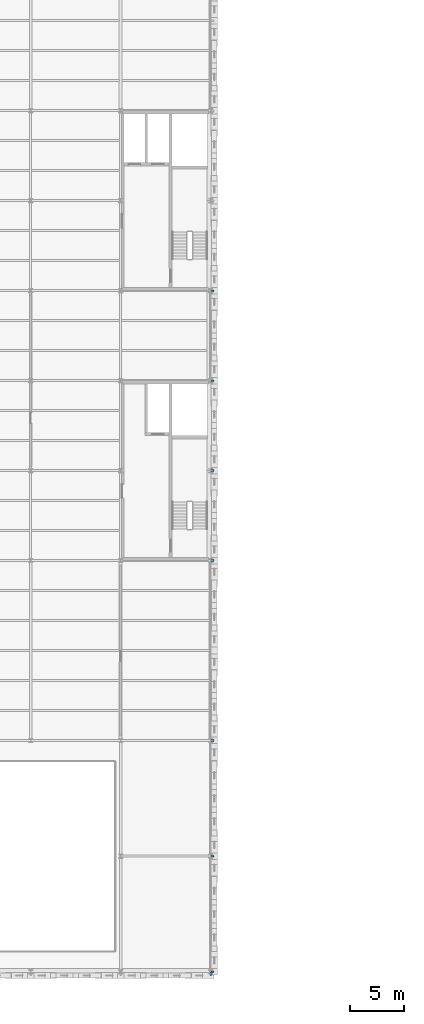
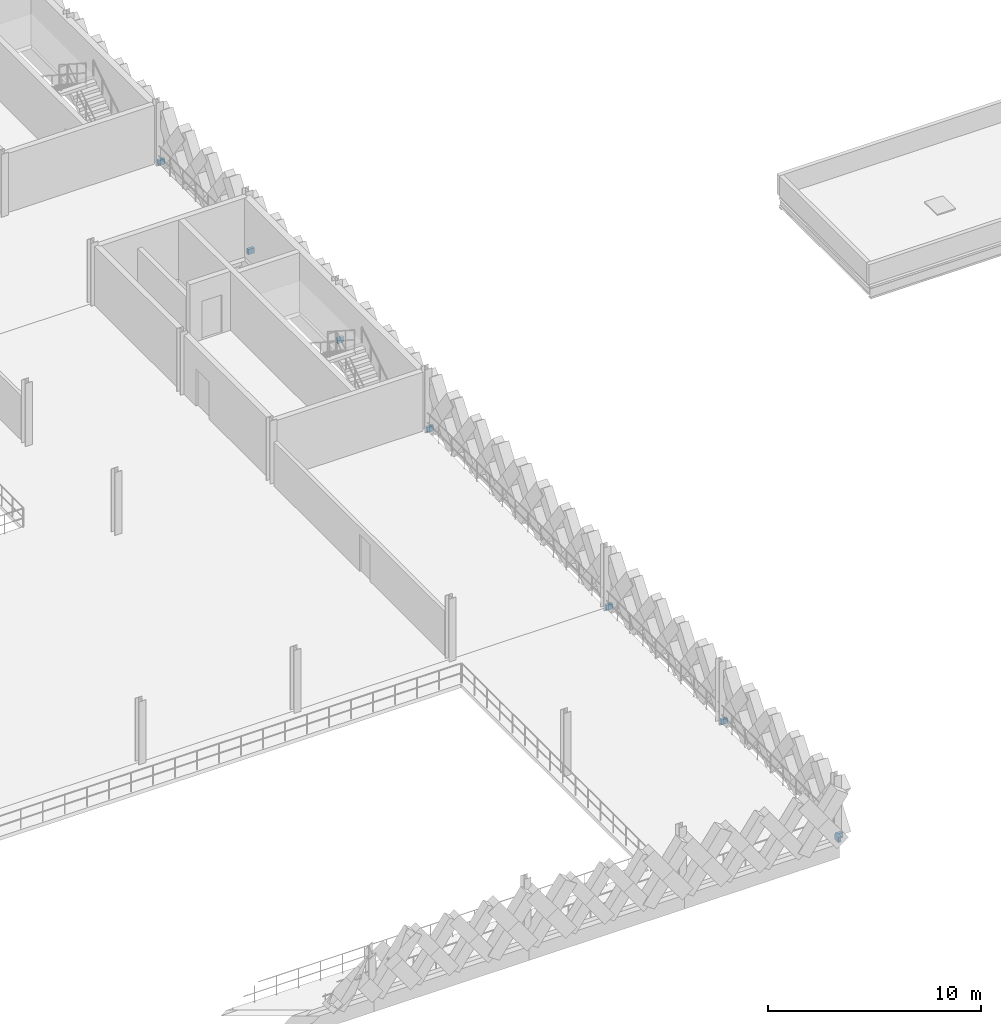
# One storey, part 36 of 62: 8 members.
"""IFC4 building model written with IfcOpenShell, lengths in metres."""

from ifc_helpers import new_model, si_unit, direction, frame, origin, origin_2d, place, context, subcontext, project, spatial, hollow_rectangle, extrude, material, material_profile, profile_set, type_object, element, save


model = new_model("IFC4")

# Units and contexts
model_context = context("Model", 3, precision=1e-05, world=origin(), true_north=direction((0.0, 1.0)))
body_context = subcontext(model_context, "Body", "Model", "MODEL_VIEW")
ifc_project = project(units=[si_unit("LENGTHUNIT", "METRE"), si_unit("AREAUNIT", "SQUARE_METRE"), si_unit("VOLUMEUNIT", "CUBIC_METRE"), si_unit("PLANEANGLEUNIT", "RADIAN"), si_unit("MASSUNIT", "GRAM", prefix="KILO"), si_unit("THERMODYNAMICTEMPERATUREUNIT", "KELVIN"), si_unit("POWERUNIT", "WATT")], contexts=[model_context])

# Site, building, storey
site_placement = place(None, origin())
site = spatial("IfcSite", under=ifc_project, at=site_placement, CompositionType="ELEMENT")
building_placement = place(site_placement, origin())
building = spatial("IfcBuilding", under=site, at=building_placement, Name="Tembeka Court Mobility Hub", CompositionType="ELEMENT")
storey_placement = place(building_placement, frame((0.0, 0.0, 16.199951171875)))
storey = spatial("IfcBuildingStorey", under=building, at=storey_placement, Name="L04", CompositionType="ELEMENT", Elevation=16.199951171875)

# Members
ifc_material = material(Name="Steel S355", Category="steel")
ifc_material_profile = material_profile(ifc_material, hollow_rectangle(XDim=0.14990234375, YDim=0.300048828125, WallThickness=0.010009765625, at=origin_2d()), Name="RHS 300x150x10")
ifc_profile_set = profile_set([ifc_material_profile], Name="Steel S355")
member_type = type_object("IfcMemberType", Name="MEM-ST03", PredefinedType="STRUT", material=ifc_profile_set)
for number, where, z_axis, x_axis, name in (
    (1, (92.39990234375, 0.0, 0.02001953125), (0.0, -1.0, 0.0), (1.0, 0.0, 0.0), "Lattice outrigger tie SR03 (L04-Y-92)"),
    (2, (92.39990234375, 0.0, 0.02001953125), (1.0, 0.0, 0.0), (0.0, 1.0, 0.0), "Lattice outrigger tie SR03 (L04-X-0)"),
    (3, (92.39990234375, 10.800048828125, 0.02001953125), (1.0, 0.0, 0.0), (0.0, 1.0, 0.0), "Lattice outrigger tie SR03 (L04-X-10)"),
    (4, (92.39990234375, 21.60009765625, 0.02001953125), (1.0, 0.0, 0.0), (0.0, 1.0, 0.0), "Lattice outrigger tie SR03 (L04-X-21)"),
    (5, (92.39990234375, 38.39990234375, 0.02001953125), (1.0, 0.0, 0.0), (0.0, 1.0, 0.0), "Lattice outrigger tie SR03 (L04-X-38)"),
    (6, (92.39990234375, 46.800048828125, 0.02001953125), (1.0, 0.0, 0.0), (0.0, 1.0, 0.0), "Lattice outrigger tie SR03 (L04-X-46)"),
    (7, (92.39990234375, 55.199951171875, 0.02001953125), (1.0, 0.0, 0.0), (0.0, 1.0, 0.0), "Lattice outrigger tie SR03 (L04-X-55)"),
    (8, (92.39990234375, 63.60009765625, 0.02001953125), (1.0, 0.0, 0.0), (0.0, 1.0, 0.0), "Lattice outrigger tie SR03 (L04-X-63)"),
):
    element("IfcMember", number, at=place(storey_placement, frame(where, z_axis=z_axis, x_axis=x_axis)), inside=storey, type_object=member_type, Name=name, PredefinedType="STRUT", context=body_context, shape_type="SweptSolid", body=[
        extrude(hollow_rectangle(XDim=0.14990234375, YDim=0.300048828125, WallThickness=0.010009765625, at=origin_2d()), origin(), (0.0, 0.0, 1.0), 0.340087890625),
    ])

save(model, "model.ifc")
